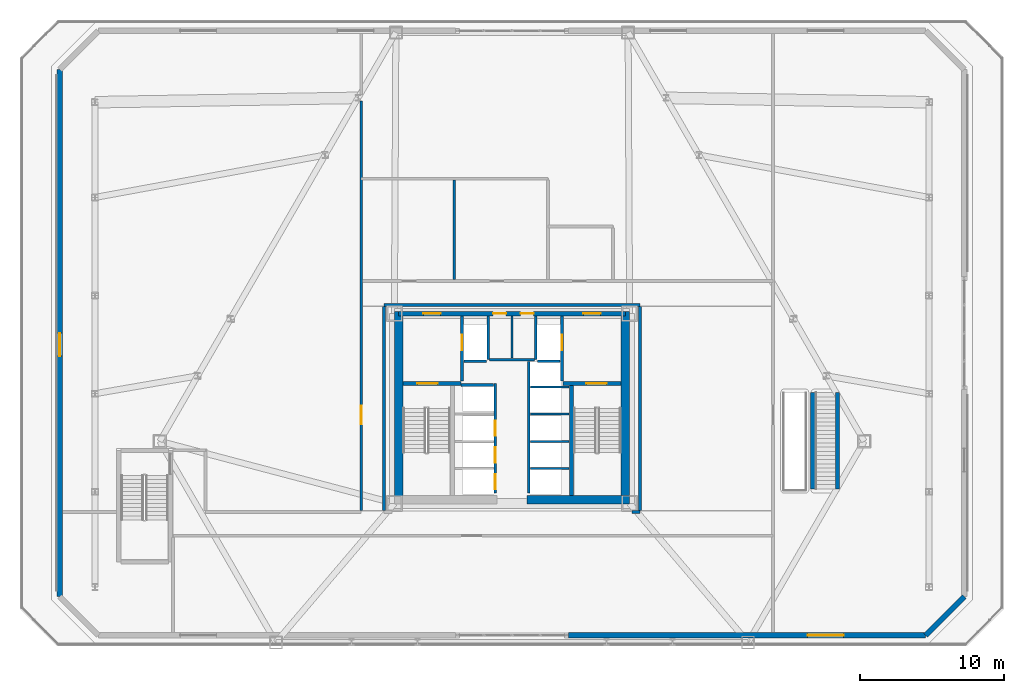
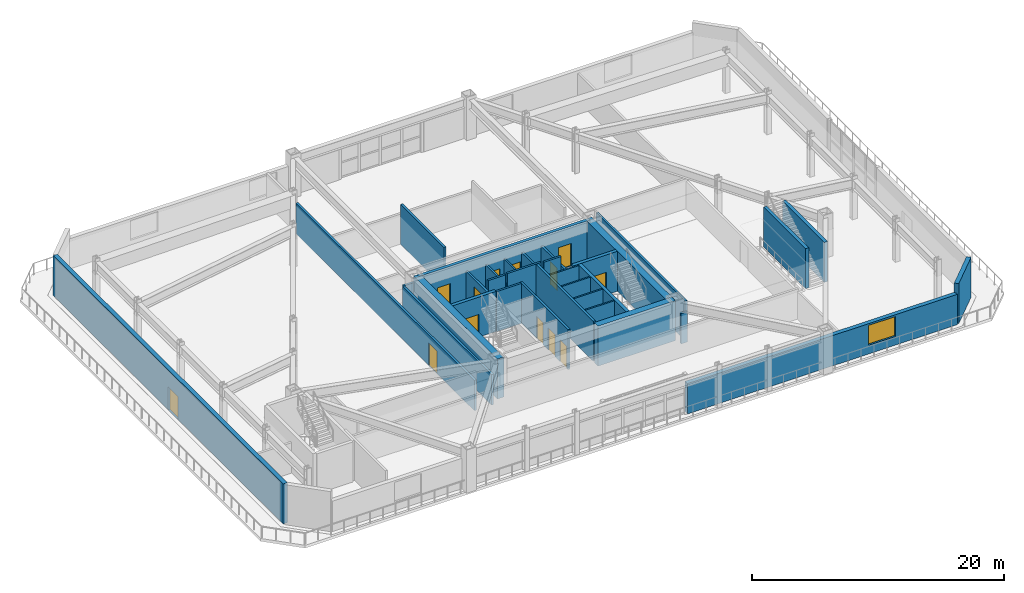
# One storey, part 12 of 22: 33 walls, 13 doors, 1 window, 14 openings.
"""IFC4 building model written with IfcOpenShell, lengths in metres."""

from ifc_helpers import new_model, si_unit, direction, frame, frame_2d, origin, place, context, subcontext, project, spatial, rectangle, extrude, material, layer, layer_set, type_object, element, fill, save


model = new_model("IFC4")

# Units and contexts
model_context = context("Model", 3, precision=1e-05, world=origin(), true_north=direction((0.0, 1.0)))
body_context = subcontext(model_context, "Body", "Model", "MODEL_VIEW")
ifc_project = project(units=[si_unit("LENGTHUNIT", "METRE"), si_unit("AREAUNIT", "SQUARE_METRE"), si_unit("VOLUMEUNIT", "CUBIC_METRE"), si_unit("PLANEANGLEUNIT", "RADIAN"), si_unit("MASSUNIT", "GRAM", prefix="KILO")], contexts=[model_context])

# Site, building, storey
site_placement = place(None, origin())
site = spatial("IfcSite", under=ifc_project, at=site_placement, CompositionType="ELEMENT")
building_placement = place(site_placement, origin())
building = spatial("IfcBuilding", under=site, at=building_placement, Name="Oramaril Tower", CompositionType="ELEMENT")
storey_placement = place(building_placement, frame((0.0, 0.0, 18.300048828125)))
storey = spatial("IfcBuildingStorey", under=building, at=storey_placement, Name="L04", CompositionType="ELEMENT", Elevation=18.300048828125)

# Wall, opening, window
ifc_material_1 = material(Name="Warm Cream Limestone", Category="masonry")
ifc_layer_1 = layer(ifc_material_1, 0.3798828125)
ifc_layer_set_1 = layer_set([ifc_layer_1], Name="WT-EXT38")
wall_type_1 = type_object("IfcWallType", Name="WT-EXT38", PredefinedType="SOLIDWALL", material=ifc_layer_set_1)
wall_1_placement = place(storey_placement, frame((41.39990234375, 1.85009765625, 0.0), z_axis=(0.0, 0.0, 1.0), x_axis=(1.0, 0.0, 0.0)))
wall_1 = element("IfcWall", 1, at=wall_1_placement, inside=storey, type_object=wall_type_1, Name="L04 Limestone Facade Wall EW-1B", PredefinedType="SOLIDWALL", context=body_context, shape_type="SweptSolid", body=[
    extrude(rectangle(XDim=24.772216796875, YDim=0.3798828125, at=frame_2d((12.38623046875, 0.0))), origin(), (0.0, 0.0, 1.0), 2.94287109375),
])
opening_1_placement = place(wall_1_placement, frame((16.5859375, 0.0, 0.85009765625)))
opening_1 = element("IfcOpeningElement", 2, at=opening_1_placement, cuts=wall_1, Name="Opening WN-11", PredefinedType="OPENING", context=body_context, shape_type="SweptSolid", body=[
    extrude(rectangle(XDim=2.5, YDim=1.923095703125, at=frame_2d((1.25, 0.96142578125))), frame((0.0, 0.18994140625, 0.0), z_axis=(0.0, -1.0, 0.0), x_axis=(1.0, 0.0, 0.0)), (0.0, 0.0, 1.0), 0.3798828125),
])
ifc_material_2 = material(Name="Coastal Low-E Insulated Glass", Category="glass")
window_type = type_object("IfcWindowType", Name="WNT-11", PartitioningType="SINGLE_PANEL", PredefinedType="WINDOW", material=ifc_material_2)
window_placement = place(opening_1_placement, origin())
window = element("IfcWindow", 3, at=window_placement, inside=storey, type_object=window_type, Name="L04 Podium Chicago Window", OverallHeight=1.923095703125, OverallWidth=2.5, PartitioningType="SINGLE_PANEL", PredefinedType="WINDOW", context=body_context, shape_type="SweptSolid", body=[
    extrude(rectangle(XDim=2.5, YDim=1.923095703125, at=frame_2d((1.25, 0.96142578125))), frame((0.0, 0.030029296875, 0.0), z_axis=(0.0, -1.0, 0.0), x_axis=(1.0, 0.0, 0.0)), (0.0, 0.0, 1.0), 0.06005859375),
])
fill(opening_1, window)

# Wall
wall_2_placement = place(storey_placement, frame((66.172119140625, 1.85009765625, 0.0), z_axis=(0.0, 0.0, 1.0), x_axis=(0.707139013974, 0.707074546929, 0.0)))
element("IfcWall", 4, at=wall_2_placement, inside=storey, type_object=wall_type_1, Name="L04 Limestone Facade Wall EW-2M", PredefinedType="SOLIDWALL", context=body_context, shape_type="SweptSolid", body=[
    extrude(rectangle(XDim=3.787109375, YDim=0.3798828125, at=frame_2d((1.8935546875, 0.0))), origin(), (0.0, 0.0, 1.0), 3.8798828125),
])

# Wall, opening, door
wall_3_placement = place(storey_placement, frame((6.14990234375, 41.072265625, 0.0), z_axis=(0.0, 0.0, 1.0), x_axis=(0.0, -1.0, 0.0)))
wall_3 = element("IfcWall", 5, at=wall_3_placement, inside=storey, type_object=wall_type_1, Name="L04 Limestone Facade Wall EW-7M", PredefinedType="SOLIDWALL", context=body_context, shape_type="SweptSolid", body=[
    extrude(rectangle(XDim=36.54443359375, YDim=0.3798828125, at=frame_2d((18.272216796875, 0.0))), origin(), (0.0, 0.0, 1.0), 3.8798828125),
])
opening_2_placement = place(wall_3_placement, frame((18.272216796875, 0.0, 0.0)))
opening_2 = element("IfcOpeningElement", 6, at=opening_2_placement, cuts=wall_3, Name="Opening D-L04-T1", PredefinedType="OPENING", context=body_context, shape_type="SweptSolid", body=[
    extrude(rectangle(XDim=1.60009765625, YDim=2.199951171875, at=frame_2d((0.800048828125, 1.10009765625))), frame((0.0, 0.18994140625, 0.0), z_axis=(0.0, -1.0, 0.0), x_axis=(1.0, 0.0, 0.0)), (0.0, 0.0, 1.0), 0.3798828125),
])
ifc_material_3 = material(Name="Anodised Aluminium 6063-T6", Category="aluminium")
door_type_1 = type_object("IfcDoorType", Name="DT-TER", OperationType="NOTDEFINED", PredefinedType="DOOR", material=ifc_material_3)
door_1_placement = place(opening_2_placement, origin())
door_1 = element("IfcDoor", 7, at=door_1_placement, inside=storey, type_object=door_type_1, Name="L04 Podium Terrace Access Door 1", OperationType="SINGLE_SWING_LEFT", OverallHeight=2.199951171875, OverallWidth=1.60009765625, PredefinedType="DOOR", context=body_context, shape_type="SweptSolid", body=[
    extrude(rectangle(XDim=1.60009765625, YDim=2.199951171875, at=frame_2d((0.800048828125, 1.10009765625))), frame((0.0, 0.02490234375, 0.0), z_axis=(0.0, -1.0, 0.0), x_axis=(1.0, 0.0, 0.0)), (0.0, 0.0, 1.0), 0.050048828125),
])
fill(opening_2, door_1)

# Walls
ifc_material_4 = material(Name="Acoustic Gypsum Board Partition")
ifc_layer_2 = layer(ifc_material_4, 0.139892578125)
ifc_layer_set_2 = layer_set([ifc_layer_2], Name="WT-PT14")
wall_type_2 = type_object("IfcWallType", Name="WT-PT14", PredefinedType="PARTITIONING", material=ifc_layer_set_2)
for number, where, z_axis, x_axis, name in (
    (8, (38.780029296875, 13.419921875, 0.0), (0.0, 0.0, 1.0), (1.0, 0.0, 0.0), "L04 East Lift Divider"),
    (9, (38.780029296875, 15.27001953125, 0.0), (0.0, 0.0, 1.0), (1.0, 0.0, 0.0), "L04 East Lift Divider"),
    (10, (38.780029296875, 17.199951171875, 0.0), (0.0, 0.0, 1.0), (1.0, 0.0, 0.0), "L04 East Lift Divider"),
    (11, (38.780029296875, 19.050048828125, 0.0), (0.0, 0.0, 1.0), (1.0, 0.0, 0.0), "L04 East Lift Divider"),
):
    element("IfcWall", number, at=place(storey_placement, frame(where, z_axis=z_axis, x_axis=x_axis)), inside=storey, type_object=wall_type_2, Name=name, PredefinedType="PARTITIONING", context=body_context, shape_type="SweptSolid", body=[
        extrude(rectangle(XDim=2.659912109375, YDim=0.139892578125, at=frame_2d((1.330078125, 0.0))), origin(), (0.0, 0.0, 1.0), 3.8798828125),
    ])
wall_4_placement = place(storey_placement, frame((37.5, 21.06005859375, 0.0), z_axis=(0.0, 0.0, 1.0), x_axis=(0.0, 1.0, 0.0)))
element("IfcWall", 12, at=wall_4_placement, inside=storey, type_object=wall_type_2, Name="L04 Core Service Divider", PredefinedType="PARTITIONING", context=body_context, shape_type="SweptSolid", body=[
    extrude(rectangle(XDim=2.919921875, YDim=0.139892578125, at=frame_2d((1.4599609375, 0.0))), origin(), (0.0, 0.0, 1.0), 2.919921875),
])
ifc_material_5 = material(Name="Autoclaved Cellular Concrete Block", Category="concrete")
ifc_layer_3 = layer(ifc_material_5, 0.179931640625)
ifc_layer_set_3 = layer_set([ifc_layer_3], Name="WT-PT18")
wall_type_3 = type_object("IfcWallType", Name="WT-PT18", PredefinedType="PARTITIONING", material=ifc_layer_set_3)
wall_5_placement = place(storey_placement, frame((35.840087890625, 20.9599609375, 0.0), z_axis=(0.0, 0.0, 1.0), x_axis=(0.0, 1.0, 0.0)))
element("IfcWall", 13, at=wall_5_placement, inside=storey, type_object=wall_type_3, Name="L04 FL-1 East Shaft Wall", PredefinedType="PARTITIONING", context=body_context, shape_type="SweptSolid", body=[
    extrude(rectangle(XDim=3.02001953125, YDim=0.179931640625, at=frame_2d((1.510009765625, 0.0))), origin(), (0.0, 0.0, 1.0), 2.919921875),
])
wall_6_placement = place(storey_placement, frame((34.159912109375, 20.860107421875, 0.0), z_axis=(0.0, 0.0, 1.0), x_axis=(1.0, 0.0, 0.0)))
element("IfcWall", 14, at=wall_6_placement, inside=storey, type_object=wall_type_3, Name="L04 FL-1 South Shaft Wall", PredefinedType="PARTITIONING", context=body_context, shape_type="SweptSolid", body=[
    extrude(rectangle(XDim=1.580078125, YDim=0.179931640625, at=frame_2d((0.7900390625, 0.0))), origin(), (0.0, 0.0, 1.0), 3.8798828125),
])
wall_7_placement = place(storey_placement, frame((39.159912109375, 20.9599609375, 0.0), z_axis=(0.0, 0.0, 1.0), x_axis=(0.0, 1.0, 0.0)))
element("IfcWall", 15, at=wall_7_placement, inside=storey, type_object=wall_type_3, Name="L04 FL-2 West Shaft Wall", PredefinedType="PARTITIONING", context=body_context, shape_type="SweptSolid", body=[
    extrude(rectangle(XDim=3.02001953125, YDim=0.179931640625, at=frame_2d((1.510009765625, 0.0))), origin(), (0.0, 0.0, 1.0), 2.919921875),
])
wall_8_placement = place(storey_placement, frame((39.260009765625, 20.860107421875, 0.0), z_axis=(0.0, 0.0, 1.0), x_axis=(1.0, 0.0, 0.0)))
element("IfcWall", 16, at=wall_8_placement, inside=storey, type_object=wall_type_3, Name="L04 FL-2 South Shaft Wall", PredefinedType="PARTITIONING", context=body_context, shape_type="SweptSolid", body=[
    extrude(rectangle(XDim=1.580078125, YDim=0.179931640625, at=frame_2d((0.7900390625, 0.0))), origin(), (0.0, 0.0, 1.0), 3.8798828125),
])
wall_9_placement = place(storey_placement, frame((33.949951171875, 19.199951171875, 0.0), z_axis=(0.0, 0.0, 1.0), x_axis=(1.0, 0.0, 0.0)))
element("IfcWall", 17, at=wall_9_placement, inside=storey, type_object=wall_type_3, Name="L04 High-Rise Lift H1 North Shaft Wall", PredefinedType="PARTITIONING", context=body_context, shape_type="SweptSolid", body=[
    extrude(rectangle(XDim=2.27001953125, YDim=0.179931640625, at=frame_2d((1.135009765625, 0.0))), origin(), (0.0, 0.0, 1.0), 3.8798828125),
])
wall_10_placement = place(storey_placement, frame((35.949951171875, 20.949951171875, 0.0), z_axis=(0.0, 0.0, 1.0), x_axis=(1.0, 0.0, 0.0)))
element("IfcWall", 18, at=wall_10_placement, inside=storey, type_object=wall_type_3, Name="L04 Lift Lobby North Partition", PredefinedType="PARTITIONING", context=body_context, shape_type="SweptSolid", body=[
    extrude(rectangle(XDim=3.10009765625, YDim=0.179931640625, at=frame_2d((1.550048828125, 0.0))), origin(), (0.0, 0.0, 1.0), 3.8798828125),
])
ifc_material_6 = material(Name="Autoclaved Cellular Concrete Block", Category="concrete")
ifc_layer_4 = layer(ifc_material_6, 0.199951171875)
ifc_layer_set_4 = layer_set([ifc_layer_4], Name="WT-PT20")
wall_type_4 = type_object("IfcWallType", Name="WT-PT20", PredefinedType="PARTITIONING", material=ifc_layer_set_4)
wall_11_placement = place(storey_placement, frame((45.800048828125, 10.39990234375, 0.0), z_axis=(0.0, 0.0, 1.0), x_axis=(1.0, 0.0, 0.0)))
element("IfcWall", 19, at=wall_11_placement, inside=storey, type_object=wall_type_4, Name="L04 Interior Partition PT-20", PredefinedType="PARTITIONING", context=body_context, shape_type="SweptSolid", body=[
    extrude(rectangle(XDim=0.579833984375, YDim=0.199951171875, at=frame_2d((0.2900390625, 0.0))), origin(), (0.0, 0.0, 1.0), 2.94287109375),
])
wall_12_placement = place(storey_placement, frame((28.6201171875, 24.75, 0.0), z_axis=(0.0, 0.0, 1.0), x_axis=(1.0, 0.0, 0.0)))
element("IfcWall", 20, at=wall_12_placement, inside=storey, type_object=wall_type_4, Name="L04 Interior Partition PT-20", PredefinedType="PARTITIONING", context=body_context, shape_type="SweptSolid", body=[
    extrude(rectangle(XDim=17.759765625, YDim=0.199951171875, at=frame_2d((8.8798828125, 0.0))), origin(), (0.0, 0.0, 1.0), 2.94287109375),
])

# Wall, opening, door
wall_13_placement = place(storey_placement, frame((27.050048828125, 10.50390625, 0.0), z_axis=(0.0, 0.0, 1.0), x_axis=(0.0, 1.0, 0.0)))
wall_13 = element("IfcWall", 21, at=wall_13_placement, inside=storey, type_object=wall_type_4, Name="L04 Interior Partition PT-20", PredefinedType="PARTITIONING", context=body_context, shape_type="SweptSolid", body=[
    extrude(rectangle(XDim=28.375732421875, YDim=0.199951171875, at=frame_2d((14.18798828125, 0.0))), origin(), (0.0, 0.0, 1.0), 2.94287109375),
])
opening_3_placement = place(wall_13_placement, frame((5.975341796875, 0.0, 0.0)))
opening_3 = element("IfcOpeningElement", 22, at=opening_3_placement, cuts=wall_13, Name="Opening D-L04-05", PredefinedType="OPENING", context=body_context, shape_type="SweptSolid", body=[
    extrude(rectangle(XDim=1.300048828125, YDim=2.199951171875, at=frame_2d((0.64990234375, 1.10009765625))), frame((0.0, 0.10009765625, 0.0), z_axis=(0.0, -1.0, 0.0), x_axis=(1.0, 0.0, 0.0)), (0.0, 0.0, 1.0), 0.199951171875),
])
ifc_material_7 = material(Name="FSC Brazilian Freijo Hardwood", Category="wood")
door_type_2 = type_object("IfcDoorType", Name="DT-COM", OperationType="NOTDEFINED", PredefinedType="DOOR", material=ifc_material_7)
door_2_placement = place(opening_3_placement, origin())
door_2 = element("IfcDoor", 23, at=door_2_placement, inside=storey, type_object=door_type_2, Name="L04 L04 Poolside Sun Lounge Door D-L04-05", OperationType="SINGLE_SWING_LEFT", OverallHeight=2.199951171875, OverallWidth=1.300048828125, PredefinedType="DOOR", context=body_context, shape_type="SweptSolid", body=[
    extrude(rectangle(XDim=1.300048828125, YDim=2.199951171875, at=frame_2d((0.64990234375, 1.10009765625))), frame((0.0, 0.02490234375, 0.0), z_axis=(0.0, -1.0, 0.0), x_axis=(1.0, 0.0, 0.0)), (0.0, 0.0, 1.0), 0.050048828125),
])
fill(opening_3, door_2)

# Walls
wall_14_placement = place(storey_placement, frame((28.6201171875, 10.50390625, 0.0), z_axis=(0.0, 0.0, 1.0), x_axis=(0.0, 1.0, 0.0)))
element("IfcWall", 24, at=wall_14_placement, inside=storey, type_object=wall_type_4, Name="L04 Interior Partition PT-20", PredefinedType="PARTITIONING", context=body_context, shape_type="SweptSolid", body=[
    extrude(rectangle(XDim=14.14208984375, YDim=0.199951171875, at=frame_2d((7.071044921875, 0.0))), origin(), (0.0, 0.0, 1.0), 2.94287109375),
])
wall_15_placement = place(storey_placement, frame((33.5, 26.50390625, 0.0), z_axis=(0.0, 0.0, 1.0), x_axis=(0.0, 1.0, 0.0)))
element("IfcWall", 25, at=wall_15_placement, inside=storey, type_object=wall_type_4, Name="L04 Interior Partition PT-20", PredefinedType="PARTITIONING", context=body_context, shape_type="SweptSolid", body=[
    extrude(rectangle(XDim=6.89208984375, YDim=0.199951171875, at=frame_2d((3.446044921875, 0.0))), origin(), (0.0, 0.0, 1.0), 3.8798828125),
])
wall_16_placement = place(storey_placement, frame((46.3798828125, 10.50390625, 0.0), z_axis=(0.0, 0.0, 1.0), x_axis=(0.0, 1.0, 0.0)))
element("IfcWall", 26, at=wall_16_placement, inside=storey, type_object=wall_type_4, Name="L04 Interior Partition PT-20", PredefinedType="PARTITIONING", context=body_context, shape_type="SweptSolid", body=[
    extrude(rectangle(XDim=14.14208984375, YDim=0.199951171875, at=frame_2d((7.071044921875, 0.0))), origin(), (0.0, 0.0, 1.0), 3.8798828125),
])

# Wall, openings, doors
ifc_material_8 = material(Name="Concrete C50/60", Category="concrete")
ifc_layer_5 = layer(ifc_material_8, 0.300048828125)
ifc_layer_set_5 = layer_set([ifc_layer_5], Name="WT-SH30")
wall_type_5 = type_object("IfcWallType", Name="WT-SH30", PredefinedType="SHEAR", material=ifc_layer_set_5)
wall_17_placement = place(storey_placement, frame((29.64990234375, 24.14990234375, 0.0), z_axis=(0.0, 0.0, 1.0), x_axis=(1.0, 0.0, 0.0)))
wall_17 = element("IfcWall", 27, at=wall_17_placement, inside=storey, type_object=wall_type_5, Name="L04 Core Shear Wall CW-N", PredefinedType="SHEAR", context=body_context, shape_type="SweptSolid", body=[
    extrude(rectangle(XDim=15.7001953125, YDim=0.300048828125, at=frame_2d((7.85009765625, 0.0))), origin(), (0.0, 0.0, 1.0), 3.8798828125),
])
opening_4_placement = place(wall_17_placement, frame((1.699951171875, 0.0, 0.0)))
opening_4 = element("IfcOpeningElement", 28, at=opening_4_placement, cuts=wall_17, Name="Opening D-L04-FFL1", PredefinedType="OPENING", context=body_context, shape_type="SweptSolid", body=[
    extrude(rectangle(XDim=1.199951171875, YDim=2.199951171875, at=frame_2d((0.60009765625, 1.10009765625))), frame((0.0, 0.14990234375, 0.0), z_axis=(0.0, -1.0, 0.0), x_axis=(1.0, 0.0, 0.0)), (0.0, 0.0, 1.0), 0.300048828125),
])
opening_5_placement = place(wall_17_placement, frame((12.800048828125, 0.0, 0.0)))
opening_5 = element("IfcOpeningElement", 29, at=opening_5_placement, cuts=wall_17, Name="Opening D-L04-FFL2", PredefinedType="OPENING", context=body_context, shape_type="SweptSolid", body=[
    extrude(rectangle(XDim=1.199951171875, YDim=2.199951171875, at=frame_2d((0.60009765625, 1.10009765625))), frame((0.0, 0.14990234375, 0.0), z_axis=(0.0, -1.0, 0.0), x_axis=(1.0, 0.0, 0.0)), (0.0, 0.0, 1.0), 0.300048828125),
])
opening_6_placement = place(wall_17_placement, frame((6.550048828125, 0.0, 0.0)))
opening_6 = element("IfcOpeningElement", 30, at=opening_6_placement, cuts=wall_17, Name="Opening D-L04-SV1", PredefinedType="OPENING", context=body_context, shape_type="SweptSolid", body=[
    extrude(rectangle(XDim=0.89990234375, YDim=2.050048828125, at=frame_2d((0.449951171875, 1.02490234375))), frame((0.0, 0.14990234375, 0.0), z_axis=(0.0, -1.0, 0.0), x_axis=(1.0, 0.0, 0.0)), (0.0, 0.0, 1.0), 0.300048828125),
])
opening_7_placement = place(wall_17_placement, frame((8.449951171875, 0.0, 0.0)))
opening_7 = element("IfcOpeningElement", 31, at=opening_7_placement, cuts=wall_17, Name="Opening D-L04-SV2", PredefinedType="OPENING", context=body_context, shape_type="SweptSolid", body=[
    extrude(rectangle(XDim=0.89990234375, YDim=2.050048828125, at=frame_2d((0.449951171875, 1.02490234375))), frame((0.0, 0.14990234375, 0.0), z_axis=(0.0, -1.0, 0.0), x_axis=(1.0, 0.0, 0.0)), (0.0, 0.0, 1.0), 0.300048828125),
])
ifc_material_9 = material(Name="Painted Galvanised Steel", Category="steel")
door_type_3 = type_object("IfcDoorType", Name="DT-FFL", OperationType="NOTDEFINED", PredefinedType="DOOR", material=ifc_material_9)
door_3_placement = place(opening_4_placement, origin())
door_3 = element("IfcDoor", 32, at=door_3_placement, inside=storey, type_object=door_type_3, Name="L04 Firefighting Lobby 1 Fire Door", OperationType="SINGLE_SWING_LEFT", OverallHeight=2.199951171875, OverallWidth=1.199951171875, PredefinedType="DOOR", context=body_context, shape_type="SweptSolid", body=[
    extrude(rectangle(XDim=1.199951171875, YDim=2.199951171875, at=frame_2d((0.60009765625, 1.10009765625))), frame((0.0, 0.02490234375, 0.0), z_axis=(0.0, -1.0, 0.0), x_axis=(1.0, 0.0, 0.0)), (0.0, 0.0, 1.0), 0.050048828125),
])
fill(opening_4, door_3)
door_4_placement = place(opening_5_placement, origin())
door_4 = element("IfcDoor", 33, at=door_4_placement, inside=storey, type_object=door_type_3, Name="L04 Firefighting Lobby 2 Fire Door", OperationType="SINGLE_SWING_RIGHT", OverallHeight=2.199951171875, OverallWidth=1.199951171875, PredefinedType="DOOR", context=body_context, shape_type="SweptSolid", body=[
    extrude(rectangle(XDim=1.199951171875, YDim=2.199951171875, at=frame_2d((0.60009765625, 1.10009765625))), frame((0.0, 0.02490234375, 0.0), z_axis=(0.0, -1.0, 0.0), x_axis=(1.0, 0.0, 0.0)), (0.0, 0.0, 1.0), 0.050048828125),
])
fill(opening_5, door_4)
ifc_material_10 = material(Name="Painted Galvanised Steel", Category="steel")
door_type_4 = type_object("IfcDoorType", Name="DT-SVC", OperationType="NOTDEFINED", PredefinedType="DOOR", material=ifc_material_10)
door_5_placement = place(opening_6_placement, origin())
door_5 = element("IfcDoor", 34, at=door_5_placement, inside=storey, type_object=door_type_4, Name="L04 Core Service Store 1 Door", OperationType="SINGLE_SWING_LEFT", OverallHeight=2.050048828125, OverallWidth=0.89990234375, PredefinedType="DOOR", context=body_context, shape_type="SweptSolid", body=[
    extrude(rectangle(XDim=0.89990234375, YDim=2.050048828125, at=frame_2d((0.449951171875, 1.02490234375))), frame((0.0, 0.02490234375, 0.0), z_axis=(0.0, -1.0, 0.0), x_axis=(1.0, 0.0, 0.0)), (0.0, 0.0, 1.0), 0.050048828125),
])
fill(opening_6, door_5)
door_6_placement = place(opening_7_placement, origin())
door_6 = element("IfcDoor", 35, at=door_6_placement, inside=storey, type_object=door_type_4, Name="L04 Core Service Store 2 Door", OperationType="SINGLE_SWING_RIGHT", OverallHeight=2.050048828125, OverallWidth=0.89990234375, PredefinedType="DOOR", context=body_context, shape_type="SweptSolid", body=[
    extrude(rectangle(XDim=0.89990234375, YDim=2.050048828125, at=frame_2d((0.449951171875, 1.02490234375))), frame((0.0, 0.02490234375, 0.0), z_axis=(0.0, -1.0, 0.0), x_axis=(1.0, 0.0, 0.0)), (0.0, 0.0, 1.0), 0.050048828125),
])
fill(opening_7, door_6)

# Wall, opening, door
wall_18_placement = place(storey_placement, frame((29.93994140625, 19.31005859375, 0.0), z_axis=(0.0, 0.0, 1.0), x_axis=(1.0, 0.0, 0.0)))
wall_18 = element("IfcWall", 36, at=wall_18_placement, inside=storey, type_object=wall_type_5, Name="L04 Core Shear Wall CW-ST1N", PredefinedType="SHEAR", context=body_context, shape_type="SweptSolid", body=[
    extrude(rectangle(XDim=4.010009765625, YDim=0.300048828125, at=frame_2d((2.0048828125, 0.0))), origin(), (0.0, 0.0, 1.0), 3.8798828125),
])
opening_8_placement = place(wall_18_placement, frame((1.010009765625, 0.0, 0.0)))
opening_8 = element("IfcOpeningElement", 37, at=opening_8_placement, cuts=wall_18, Name="Opening D-L04-ST1", PredefinedType="OPENING", context=body_context, shape_type="SweptSolid", body=[
    extrude(rectangle(XDim=1.39990234375, YDim=2.199951171875, at=frame_2d((0.699951171875, 1.10009765625))), frame((0.0, 0.14990234375, 0.0), z_axis=(0.0, -1.0, 0.0), x_axis=(1.0, 0.0, 0.0)), (0.0, 0.0, 1.0), 0.300048828125),
])
ifc_material_11 = material(Name="Painted Galvanised Steel", Category="steel")
door_type_5 = type_object("IfcDoorType", Name="DT-ST", OperationType="NOTDEFINED", PredefinedType="DOOR", material=ifc_material_11)
door_7_placement = place(opening_8_placement, origin())
door_7 = element("IfcDoor", 38, at=door_7_placement, inside=storey, type_object=door_type_5, Name="L04 Protected Stair ST-1 Fire Door", OperationType="SINGLE_SWING_LEFT", OverallHeight=2.199951171875, OverallWidth=1.39990234375, PredefinedType="DOOR", context=body_context, shape_type="SweptSolid", body=[
    extrude(rectangle(XDim=1.39990234375, YDim=2.199951171875, at=frame_2d((0.699951171875, 1.10009765625))), frame((0.0, 0.02490234375, 0.0), z_axis=(0.0, -1.0, 0.0), x_axis=(1.0, 0.0, 0.0)), (0.0, 0.0, 1.0), 0.050048828125),
])
fill(opening_8, door_7)

wall_19_placement = place(storey_placement, frame((41.050048828125, 19.31005859375, 0.0), z_axis=(0.0, 0.0, 1.0), x_axis=(1.0, 0.0, 0.0)))
wall_19 = element("IfcWall", 39, at=wall_19_placement, inside=storey, type_object=wall_type_5, Name="L04 Core Shear Wall CW-ST2N", PredefinedType="SHEAR", context=body_context, shape_type="SweptSolid", body=[
    extrude(rectangle(XDim=4.010009765625, YDim=0.300048828125, at=frame_2d((2.0048828125, 0.0))), origin(), (0.0, 0.0, 1.0), 3.8798828125),
])
opening_9_placement = place(wall_19_placement, frame((1.60009765625, 0.0, 0.0)))
opening_9 = element("IfcOpeningElement", 40, at=opening_9_placement, cuts=wall_19, Name="Opening D-L04-ST2", PredefinedType="OPENING", context=body_context, shape_type="SweptSolid", body=[
    extrude(rectangle(XDim=1.39990234375, YDim=2.199951171875, at=frame_2d((0.699951171875, 1.10009765625))), frame((0.0, 0.14990234375, 0.0), z_axis=(0.0, -1.0, 0.0), x_axis=(1.0, 0.0, 0.0)), (0.0, 0.0, 1.0), 0.300048828125),
])
door_8_placement = place(opening_9_placement, origin())
door_8 = element("IfcDoor", 41, at=door_8_placement, inside=storey, type_object=door_type_5, Name="L04 Protected Stair ST-2 Fire Door", OperationType="SINGLE_SWING_RIGHT", OverallHeight=2.199951171875, OverallWidth=1.39990234375, PredefinedType="DOOR", context=body_context, shape_type="SweptSolid", body=[
    extrude(rectangle(XDim=1.39990234375, YDim=2.199951171875, at=frame_2d((0.699951171875, 1.10009765625))), frame((0.0, 0.02490234375, 0.0), z_axis=(0.0, -1.0, 0.0), x_axis=(1.0, 0.0, 0.0)), (0.0, 0.0, 1.0), 0.050048828125),
])
fill(opening_9, door_8)

# Walls
wall_20_placement = place(storey_placement, frame((41.6201171875, 11.5400390625, 0.0), z_axis=(0.0, 0.0, 1.0), x_axis=(0.0, 1.0, 0.0)))
element("IfcWall", 42, at=wall_20_placement, inside=storey, type_object=wall_type_5, Name="L04 Core Shear Wall CW-ST2W", PredefinedType="SHEAR", context=body_context, shape_type="SweptSolid", body=[
    extrude(rectangle(XDim=7.619873046875, YDim=0.300048828125, at=frame_2d((3.81005859375, 0.0))), origin(), (0.0, 0.0, 1.0), 3.8798828125),
])
for number, where, z_axis, x_axis, name in (
    (43, (58.3349609375, 12.0, 0.0), (0.0, 0.0, 1.0), (0.0, 1.0, 0.0), "L04 Feature Stair ST-7 Support Wall L"),
    (44, (60.06494140625, 12.0, 0.0), (0.0, 0.0, 1.0), (0.0, 1.0, 0.0), "L04 Feature Stair ST-7 Support Wall R"),
):
    element("IfcWall", number, at=place(storey_placement, frame(where, z_axis=z_axis, x_axis=x_axis)), inside=storey, type_object=wall_type_5, Name=name, PredefinedType="SHEAR", context=body_context, shape_type="SweptSolid", body=[
        extrude(rectangle(XDim=6.669921875, YDim=0.300048828125, at=frame_2d((3.3349609375, 0.0))), origin(), (0.0, 0.0, 1.0), 3.8798828125),
    ])
ifc_material_12 = material(Name="Concrete C50/60", Category="concrete")
ifc_layer_6 = layer(ifc_material_12, 0.60009765625)
ifc_layer_set_6 = layer_set([ifc_layer_6], Name="WT-SH60")
wall_type_6 = type_object("IfcWallType", Name="WT-SH60", PredefinedType="SHEAR", material=ifc_layer_set_6)
for number, where, z_axis, x_axis, name in (
    (45, (29.639892578125, 11.0, 0.0), (0.0, 0.0, 1.0), (0.0, 1.0, 0.0), "L04 Core Shear Wall CW-W"),
    (46, (45.360107421875, 11.0, 0.0), (0.0, 0.0, 1.0), (0.0, 1.0, 0.0), "L04 Core Shear Wall CW-E"),
):
    element("IfcWall", number, at=place(storey_placement, frame(where, z_axis=z_axis, x_axis=x_axis)), inside=storey, type_object=wall_type_6, Name=name, PredefinedType="SHEAR", context=body_context, shape_type="SweptSolid", body=[
        extrude(rectangle(XDim=13.300048828125, YDim=0.60009765625, at=frame_2d((6.64990234375, 0.0))), origin(), (0.0, 0.0, 1.0), 3.8798828125),
    ])
wall_21_placement = place(storey_placement, frame((38.550048828125, 11.239990234375, 0.0), z_axis=(0.0, 0.0, 1.0), x_axis=(1.0, 0.0, 0.0)))
element("IfcWall", 47, at=wall_21_placement, inside=storey, type_object=wall_type_6, Name="L04 Core Shear Wall CW-SE", PredefinedType="SHEAR", context=body_context, shape_type="SweptSolid", body=[
    extrude(rectangle(XDim=7.099853515625, YDim=0.60009765625, at=frame_2d((3.5498046875, 0.0))), origin(), (0.0, 0.0, 1.0), 3.8798828125),
])

# Wall, opening, door
ifc_material_13 = material(Name="Autoclaved Cellular Concrete Block", Category="concrete")
ifc_layer_7 = layer(ifc_material_13, 0.199951171875)
ifc_layer_set_7 = layer_set([ifc_layer_7], Name="WT-SHF20")
wall_type_7 = type_object("IfcWallType", Name="WT-SHF20", PredefinedType="PARTITIONING", material=ifc_layer_set_7)
wall_22_placement = place(storey_placement, frame((34.0400390625, 19.47998046875, 0.0), z_axis=(0.0, 0.0, 1.0), x_axis=(0.0, 1.0, 0.0)))
wall_22 = element("IfcWall", 48, at=wall_22_placement, inside=storey, type_object=wall_type_7, Name="L04 FL-1 Lobby Shaft Wall", PredefinedType="PARTITIONING", context=body_context, shape_type="SweptSolid", body=[
    extrude(rectangle(XDim=4.5, YDim=0.199951171875, at=frame_2d((2.25, 0.0))), origin(), (0.0, 0.0, 1.0), 2.919921875),
])
opening_10_placement = place(wall_22_placement, frame((2.1201171875, 0.0, 0.0)))
opening_10 = element("IfcOpeningElement", 49, at=opening_10_placement, cuts=wall_22, Name="Opening LD-L04-FL-1", PredefinedType="OPENING", context=body_context, shape_type="SweptSolid", body=[
    extrude(rectangle(XDim=1.10009765625, YDim=2.199951171875, at=frame_2d((0.550048828125, 1.10009765625))), frame((0.0, 0.10009765625, 0.0), z_axis=(0.0, -1.0, 0.0), x_axis=(1.0, 0.0, 0.0)), (0.0, 0.0, 1.0), 0.199951171875),
])
ifc_material_14 = material(Name="Stainless Steel 316L", Category="steel")
door_type_6 = type_object("IfcDoorType", Name="DT-LD1", OperationType="NOTDEFINED", PredefinedType="DOOR", material=ifc_material_14)
door_9_placement = place(opening_10_placement, origin())
door_9 = element("IfcDoor", 50, at=door_9_placement, inside=storey, type_object=door_type_6, Name="L04 Lift FL-1 Sliding Landing Door", OperationType="SLIDING_TO_LEFT", OverallHeight=2.199951171875, OverallWidth=1.10009765625, PredefinedType="DOOR", context=body_context, shape_type="SweptSolid", body=[
    extrude(rectangle(XDim=1.10009765625, YDim=2.199951171875, at=frame_2d((0.550048828125, 1.10009765625))), frame((0.0, 0.02490234375, 0.0), z_axis=(0.0, -1.0, 0.0), x_axis=(1.0, 0.0, 0.0)), (0.0, 0.0, 1.0), 0.050048828125),
])
fill(opening_10, door_9)

wall_23_placement = place(storey_placement, frame((40.9599609375, 19.47998046875, 0.0), z_axis=(0.0, 0.0, 1.0), x_axis=(0.0, 1.0, 0.0)))
wall_23 = element("IfcWall", 51, at=wall_23_placement, inside=storey, type_object=wall_type_7, Name="L04 FL-2 Lobby Shaft Wall", PredefinedType="PARTITIONING", context=body_context, shape_type="SweptSolid", body=[
    extrude(rectangle(XDim=4.5, YDim=0.199951171875, at=frame_2d((2.25, 0.0))), origin(), (0.0, 0.0, 1.0), 2.919921875),
])
opening_11_placement = place(wall_23_placement, frame((2.1201171875, 0.0, 0.0)))
opening_11 = element("IfcOpeningElement", 52, at=opening_11_placement, cuts=wall_23, Name="Opening LD-L04-FL-2", PredefinedType="OPENING", context=body_context, shape_type="SweptSolid", body=[
    extrude(rectangle(XDim=1.10009765625, YDim=2.199951171875, at=frame_2d((0.550048828125, 1.10009765625))), frame((0.0, 0.10009765625, 0.0), z_axis=(0.0, -1.0, 0.0), x_axis=(1.0, 0.0, 0.0)), (0.0, 0.0, 1.0), 0.199951171875),
])
door_10_placement = place(opening_11_placement, origin())
door_10 = element("IfcDoor", 53, at=door_10_placement, inside=storey, type_object=door_type_6, Name="L04 Lift FL-2 Sliding Landing Door", OperationType="SLIDING_TO_RIGHT", OverallHeight=2.199951171875, OverallWidth=1.10009765625, PredefinedType="DOOR", context=body_context, shape_type="SweptSolid", body=[
    extrude(rectangle(XDim=1.10009765625, YDim=2.199951171875, at=frame_2d((0.550048828125, 1.10009765625))), frame((0.0, 0.02490234375, 0.0), z_axis=(0.0, -1.0, 0.0), x_axis=(1.0, 0.0, 0.0)), (0.0, 0.0, 1.0), 0.050048828125),
])
fill(opening_11, door_10)

# Wall, openings, doors
wall_24_placement = place(storey_placement, frame((36.340087890625, 11.719970703125, 0.0), z_axis=(0.0, 0.0, 1.0), x_axis=(0.0, 1.0, 0.0)))
wall_24 = element("IfcWall", 54, at=wall_24_placement, inside=storey, type_object=wall_type_7, Name="L04 West Lift Bank Front Wall", PredefinedType="PARTITIONING", context=body_context, shape_type="SweptSolid", body=[
    extrude(rectangle(XDim=7.60009765625, YDim=0.199951171875, at=frame_2d((3.800048828125, 0.0))), origin(), (0.0, 0.0, 1.0), 3.8798828125),
])
opening_12_placement = place(wall_24_placement, frame((0.2548828125, 0.0, 0.0)))
opening_12 = element("IfcOpeningElement", 55, at=opening_12_placement, cuts=wall_24, Name="Opening LD-L04-LP-L1", PredefinedType="OPENING", context=body_context, shape_type="SweptSolid", body=[
    extrude(rectangle(XDim=1.050048828125, YDim=2.14990234375, at=frame_2d((0.52490234375, 1.074951171875))), frame((0.0, 0.10009765625, 0.0), z_axis=(0.0, -1.0, 0.0), x_axis=(1.0, 0.0, 0.0)), (0.0, 0.0, 1.0), 0.199951171875),
])
opening_13_placement = place(wall_24_placement, frame((2.10498046875, 0.0, 0.0)))
opening_13 = element("IfcOpeningElement", 56, at=opening_13_placement, cuts=wall_24, Name="Opening LD-L04-LP-L2", PredefinedType="OPENING", context=body_context, shape_type="SweptSolid", body=[
    extrude(rectangle(XDim=1.050048828125, YDim=2.14990234375, at=frame_2d((0.52490234375, 1.074951171875))), frame((0.0, 0.10009765625, 0.0), z_axis=(0.0, -1.0, 0.0), x_axis=(1.0, 0.0, 0.0)), (0.0, 0.0, 1.0), 0.199951171875),
])
opening_14_placement = place(wall_24_placement, frame((3.955078125, 0.0, 0.0)))
opening_14 = element("IfcOpeningElement", 57, at=opening_14_placement, cuts=wall_24, Name="Opening LD-L04-LP-L3", PredefinedType="OPENING", context=body_context, shape_type="SweptSolid", body=[
    extrude(rectangle(XDim=1.050048828125, YDim=2.14990234375, at=frame_2d((0.52490234375, 1.074951171875))), frame((0.0, 0.10009765625, 0.0), z_axis=(0.0, -1.0, 0.0), x_axis=(1.0, 0.0, 0.0)), (0.0, 0.0, 1.0), 0.199951171875),
])
ifc_material_15 = material(Name="Stainless Steel 316L", Category="steel")
door_type_7 = type_object("IfcDoorType", Name="DT-LD2", OperationType="NOTDEFINED", PredefinedType="DOOR", material=ifc_material_15)
door_11_placement = place(opening_12_placement, origin())
door_11 = element("IfcDoor", 58, at=door_11_placement, inside=storey, type_object=door_type_7, Name="L04 Lift LP-L1 Sliding Landing Door", OperationType="SLIDING_TO_LEFT", OverallHeight=2.14990234375, OverallWidth=1.050048828125, PredefinedType="DOOR", context=body_context, shape_type="SweptSolid", body=[
    extrude(rectangle(XDim=1.050048828125, YDim=2.14990234375, at=frame_2d((0.52490234375, 1.074951171875))), frame((0.0, 0.02490234375, 0.0), z_axis=(0.0, -1.0, 0.0), x_axis=(1.0, 0.0, 0.0)), (0.0, 0.0, 1.0), 0.050048828125),
])
fill(opening_12, door_11)
door_12_placement = place(opening_13_placement, origin())
door_12 = element("IfcDoor", 59, at=door_12_placement, inside=storey, type_object=door_type_7, Name="L04 Lift LP-L2 Sliding Landing Door", OperationType="SLIDING_TO_RIGHT", OverallHeight=2.14990234375, OverallWidth=1.050048828125, PredefinedType="DOOR", context=body_context, shape_type="SweptSolid", body=[
    extrude(rectangle(XDim=1.050048828125, YDim=2.14990234375, at=frame_2d((0.52490234375, 1.074951171875))), frame((0.0, 0.02490234375, 0.0), z_axis=(0.0, -1.0, 0.0), x_axis=(1.0, 0.0, 0.0)), (0.0, 0.0, 1.0), 0.050048828125),
])
fill(opening_13, door_12)
door_13_placement = place(opening_14_placement, origin())
door_13 = element("IfcDoor", 60, at=door_13_placement, inside=storey, type_object=door_type_7, Name="L04 Lift LP-L3 Sliding Landing Door", OperationType="SLIDING_TO_LEFT", OverallHeight=2.14990234375, OverallWidth=1.050048828125, PredefinedType="DOOR", context=body_context, shape_type="SweptSolid", body=[
    extrude(rectangle(XDim=1.050048828125, YDim=2.14990234375, at=frame_2d((0.52490234375, 1.074951171875))), frame((0.0, 0.02490234375, 0.0), z_axis=(0.0, -1.0, 0.0), x_axis=(1.0, 0.0, 0.0)), (0.0, 0.0, 1.0), 0.050048828125),
])
fill(opening_14, door_13)

# Wall
wall_25_placement = place(storey_placement, frame((38.659912109375, 11.719970703125, 0.0), z_axis=(0.0, 0.0, 1.0), x_axis=(0.0, 1.0, 0.0)))
element("IfcWall", 61, at=wall_25_placement, inside=storey, type_object=wall_type_7, Name="L04 East Lift Bank Front Wall", PredefinedType="PARTITIONING", context=body_context, shape_type="SweptSolid", body=[
    extrude(rectangle(XDim=9.10009765625, YDim=0.199951171875, at=frame_2d((4.550048828125, 0.0))), origin(), (0.0, 0.0, 1.0), 3.8798828125),
])

save(model, "model.ifc")
